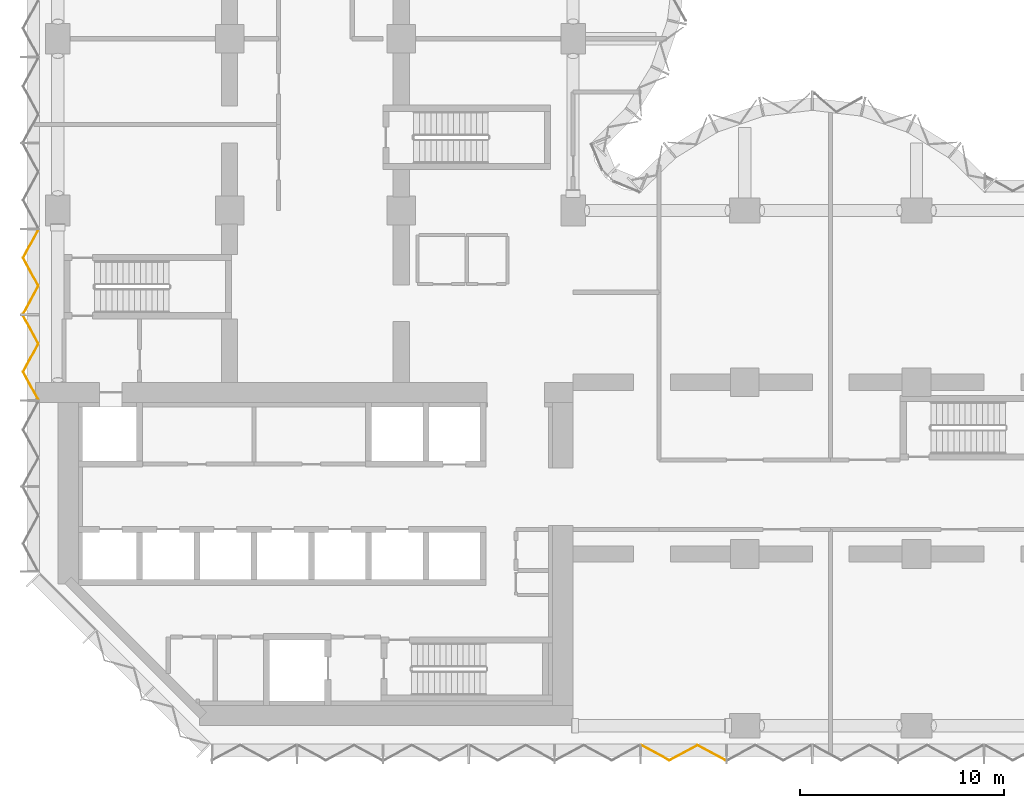
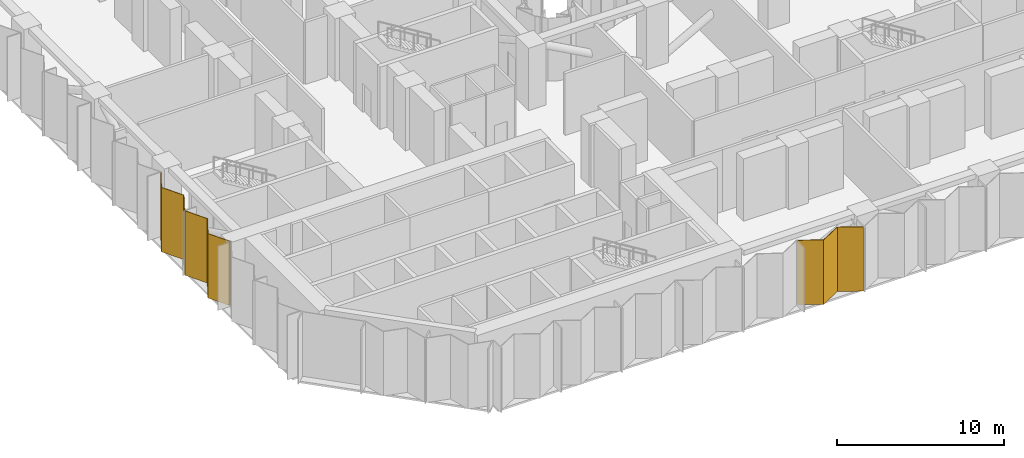
# One storey, part 15 of 18: 3 coverings, 2 elements without a shape of their own.
"""IFC4 building model written with IfcOpenShell, lengths in metres."""

from ifc_helpers import new_model, si_unit, direction, frame, origin, place, context, subcontext, project, spatial, polyline, outline, extrude, material, layer, layer_set, type_object, element, aggregate, save


model = new_model("IFC4")

# Units and contexts
model_context = context("Model", 3, precision=1e-05, world=origin(), true_north=direction((0.0, 1.0)))
body_context = subcontext(model_context, "Body", "Model", "MODEL_VIEW")
ifc_project = project(units=[si_unit("LENGTHUNIT", "METRE"), si_unit("AREAUNIT", "SQUARE_METRE"), si_unit("VOLUMEUNIT", "CUBIC_METRE"), si_unit("PLANEANGLEUNIT", "RADIAN"), si_unit("MASSUNIT", "GRAM", prefix="KILO")], contexts=[model_context])

# Site, building, storey
site_placement = place(None, origin())
site = spatial("IfcSite", under=ifc_project, at=site_placement, CompositionType="ELEMENT")
building_placement = place(site_placement, origin())
building = spatial("IfcBuilding", under=site, at=building_placement, Name="Brevane Broadcast Tower", CompositionType="ELEMENT")
storey_placement = place(building_placement, frame((0.0, 0.0, 86.89990234375)))
storey = spatial("IfcBuildingStorey", under=building, at=storey_placement, Name="L20", CompositionType="ELEMENT", Elevation=86.89990234375)

# Curtain wall, covering
ifc_material_1 = material(Name="Aluminium 6063-T6 bronze anodised", Category="aluminium")
curtain_wall_type = type_object("IfcCurtainWallType", Name="CW-3 curtain wall", PredefinedType="NOTDEFINED", material=ifc_material_1)
curtain_wall_1_placement = place(storey_placement, origin())
curtain_wall_1 = element("IfcCurtainWall", 1, at=curtain_wall_1_placement, inside=storey, type_object=curtain_wall_type, Name="CW-3 refuge louvre unit L20 south face", PredefinedType="NOTDEFINED")
ifc_material_2 = material(Name="Aluminium bronze anodised cladding", Category="aluminium")
ifc_layer = layer(ifc_material_2, 0.050048828125)
ifc_layer_set = layer_set([ifc_layer], Name="CW refuge spandrel 50")
covering_type = type_object("IfcCoveringType", Name="CW refuge spandrel 50", PredefinedType="CLADDING", material=ifc_layer_set)
covering_1_placement = place(storey_placement, frame((0.0, 0.0, -0.159912109375)))
covering_1 = element("IfcCovering", 2, at=covering_1_placement, type_object=covering_type, Name="Refuge cladding panel", PredefinedType="CLADDING", context=body_context, shape_type="SweptSolid", body=[
    extrude(outline(polyline([(28.5400390625, -0.92724609375), (28.5400390625, -0.97265625), (29.913330078125, -1.717041015625), (31.28662109375, -0.97265625), (32.659912109375, -1.717041015625), (32.659912109375, -1.671630859375), (31.28662109375, -0.92724609375), (29.913330078125, -1.671630859375), (28.5400390625, -0.92724609375)])), origin(), (0.0, 0.0, 1.0), 4.7099609375),
])
aggregate(curtain_wall_1, [covering_1])

# Curtain wall, coverings
curtain_wall_2_placement = place(storey_placement, origin())
curtain_wall_2 = element("IfcCurtainWall", 3, at=curtain_wall_2_placement, inside=storey, type_object=curtain_wall_type, Name="CW-3 refuge louvre unit L20 west face", PredefinedType="NOTDEFINED")
covering_2_placement = place(storey_placement, frame((0.0, 0.0, -0.159912109375)))
covering_2 = element("IfcCovering", 4, at=covering_2_placement, type_object=covering_type, Name="Refuge cladding panel", PredefinedType="CLADDING", context=body_context, shape_type="SweptSolid", body=[
    extrude(outline(polyline([(-0.92724609375, 24.260009765625), (-0.97265625, 24.260009765625), (-1.717041015625, 22.88671875), (-0.97265625, 21.51318359375), (-1.717041015625, 20.139892578125), (-1.671630859375, 20.139892578125), (-0.92724609375, 21.51318359375), (-1.671630859375, 22.88671875), (-0.92724609375, 24.260009765625)])), origin(), (0.0, 0.0, 1.0), 4.7099609375),
])
covering_3_placement = place(storey_placement, frame((0.0, 0.0, -0.159912109375)))
covering_3 = element("IfcCovering", 5, at=covering_3_placement, type_object=covering_type, Name="Refuge cladding panel", PredefinedType="CLADDING", context=body_context, shape_type="SweptSolid", body=[
    extrude(outline(polyline([(-1.671630859375, 20.06005859375), (-1.717041015625, 20.06005859375), (-0.97265625, 18.686767578125), (-1.717041015625, 17.313232421875), (-0.97265625, 15.93994140625), (-0.92724609375, 15.93994140625), (-1.671630859375, 17.313232421875), (-0.92724609375, 18.686767578125), (-1.671630859375, 20.06005859375)])), origin(), (0.0, 0.0, 1.0), 4.7099609375),
])
aggregate(curtain_wall_2, [covering_2, covering_3])

save(model, "model.ifc")
